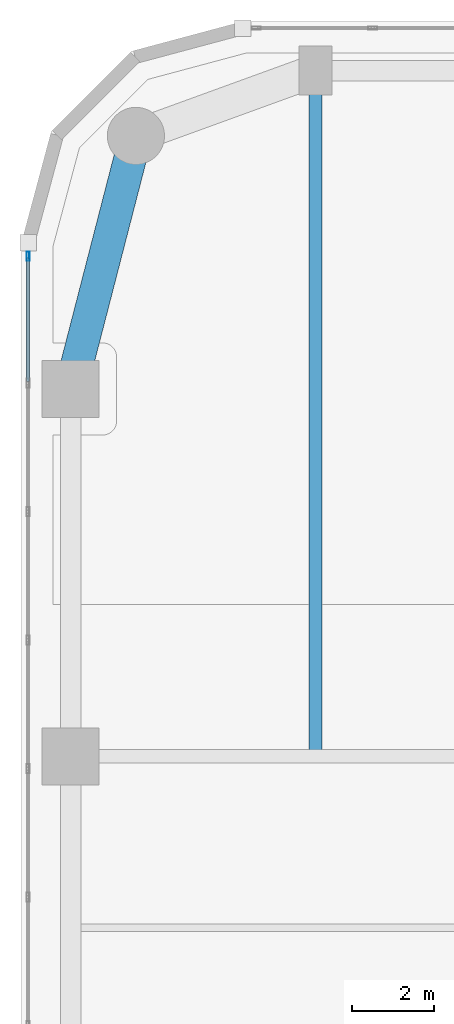
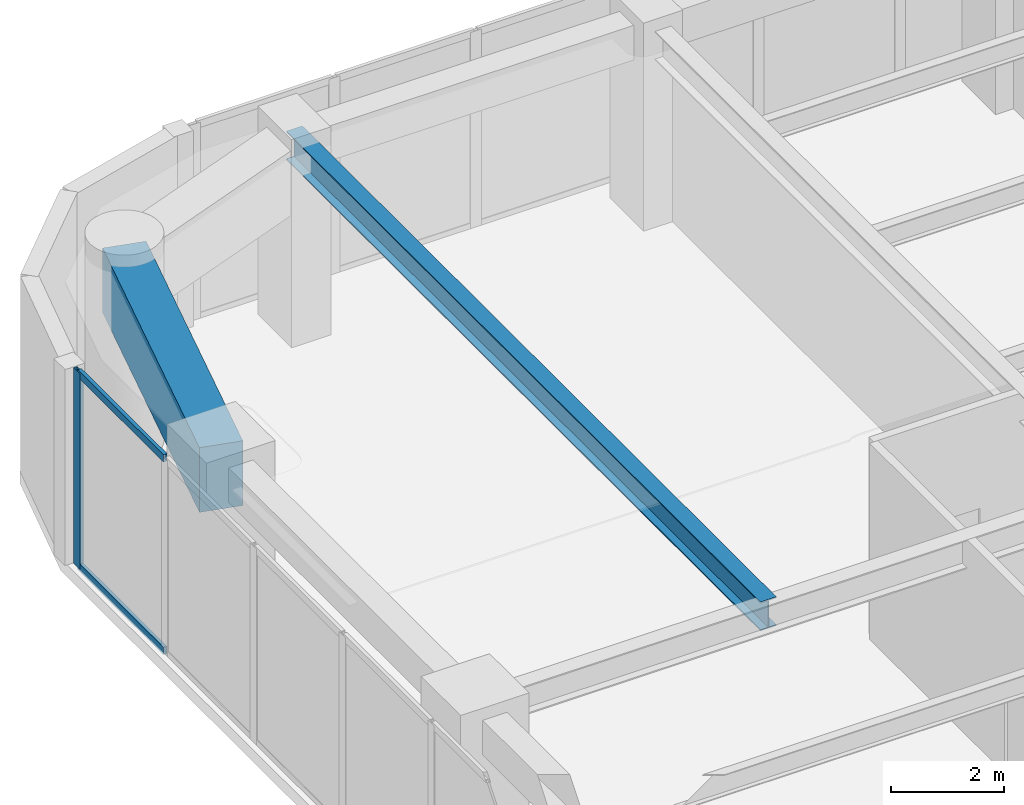
# One storey, part 8 of 23: 3 members, 2 beams, 1 element without a shape of its own.
"""IFC4 building model written with IfcOpenShell, lengths in metres."""

from ifc_helpers import new_model, si_unit, direction, frame, origin, origin_2d, place, context, subcontext, project, spatial, rectangle, hollow_rectangle, i_section, extrude, material, layer, layer_set, material_profile, profile_set, type_object, element, aggregate, save


model = new_model("IFC4")

# Units and contexts
model_context = context("Model", 3, precision=1e-05, world=origin(), true_north=direction((0.0, 1.0)))
body_context = subcontext(model_context, "Body", "Model", "MODEL_VIEW")
ifc_project = project(units=[si_unit("LENGTHUNIT", "METRE"), si_unit("AREAUNIT", "SQUARE_METRE"), si_unit("VOLUMEUNIT", "CUBIC_METRE"), si_unit("PLANEANGLEUNIT", "RADIAN"), si_unit("MASSUNIT", "GRAM", prefix="KILO")], contexts=[model_context])

# Site, building, storey
site_placement = place(None, origin())
site = spatial("IfcSite", under=ifc_project, at=site_placement, CompositionType="ELEMENT")
building_placement = place(site_placement, origin())
building = spatial("IfcBuilding", under=site, at=building_placement, Name="Kiyonajd Concourse Tower", CompositionType="ELEMENT")
storey_placement = place(building_placement, frame((0.0, 0.0, 120.89990234375)))
storey = spatial("IfcBuildingStorey", under=building, at=storey_placement, Name="L31", CompositionType="ELEMENT", Elevation=120.89990234375)

# Beams
ifc_material_1 = material(Name="Steel ASTM A992 Grade 50", Category="steel")
ifc_material_profile_1 = material_profile(ifc_material_1, i_section(OverallWidth=0.326904296875, OverallDepth=0.6220703125, WebThickness=0.015380859375, FlangeThickness=0.0244140625, at=origin_2d()), Name="W610X195")
ifc_profile_set_1 = profile_set([ifc_material_profile_1], Name="Steel ASTM A992 Grade 50")
beam_type_1 = type_object("IfcBeamType", Name="BM-TWR-610A", PredefinedType="BEAM", material=ifc_profile_set_1)
beam_1_placement = place(storey_placement, frame((25.199951171875, 44.39990234375, 3.92919921875), z_axis=(0.0, 1.0, 0.0), x_axis=(-1.0, 0.0, 0.0)))
element("IfcBeam", 1, at=beam_1_placement, inside=storey, type_object=beam_type_1, Name="L31 North Lease Girder", PredefinedType="BEAM", context=body_context, shape_type="SweptSolid", body=[
    extrude(i_section(OverallWidth=0.326904296875, OverallDepth=0.6220703125, WebThickness=0.015380859375, FlangeThickness=0.0244140625, at=origin_2d()), origin(), (0.0, 0.0, 1.0), 16.800048828125),
])
ifc_material_2 = material(Name="Concrete C60/75", Category="concrete")
ifc_material_profile_2 = material_profile(ifc_material_2, rectangle(XDim=0.800048828125, YDim=1.39990234375, at=origin_2d()), Name="RCBM-800x1400")
ifc_profile_set_2 = profile_set([ifc_material_profile_2], Name="Concrete C60/75")
beam_type_2 = type_object("IfcBeamType", Name="BM-XFER-RC", PredefinedType="BEAM", material=ifc_profile_set_2)
beam_2_placement = place(storey_placement, frame((20.800048828125, 59.60009765625, 3.5400390625), z_axis=(-0.249884937687, -0.968275538221, 0.0), x_axis=(0.968275538221, -0.249884937687, 0.0)))
element("IfcBeam", 2, at=beam_2_placement, inside=storey, type_object=beam_type_2, Name="L31 Perimeter Bundled Tube Spandrel", PredefinedType="BEAM", context=body_context, shape_type="SweptSolid", body=[
    extrude(rectangle(XDim=0.800048828125, YDim=1.39990234375, at=origin_2d()), origin(), (0.0, 0.0, 1.0), 6.4033203125),
])

# Curtain wall, members
ifc_material_3 = material(Name="Thermally Broken Anodised Aluminium", Category="aluminium")
ifc_layer = layer(ifc_material_3, 0.179931640625)
ifc_layer_set = layer_set([ifc_layer], Name="Thermally Broken Anodised Aluminium")
curtain_wall_type = type_object("IfcCurtainWallType", Name="CW-SYS-05", PredefinedType="NOTDEFINED", material=ifc_layer_set)
curtain_wall_placement = place(storey_placement, origin())
curtain_wall = element("IfcCurtainWall", 3, at=curtain_wall_placement, inside=storey, type_object=curtain_wall_type, Name="L31 Unitised Curtain Wall CW5", PredefinedType="NOTDEFINED")
ifc_material_profile_3 = material_profile(ifc_material_3, hollow_rectangle(XDim=0.074951171875, YDim=0.219970703125, WallThickness=0.0048828125, at=origin_2d()), Name="MULL-75x220")
ifc_profile_set_3 = profile_set([ifc_material_profile_3], Name="Thermally Broken Anodised Aluminium")
member_type_1 = type_object("IfcMemberType", Name="MB-CW-MULL2", PredefinedType="MULLION", material=ifc_profile_set_3)
member_1_placement = place(storey_placement, frame((18.159912109375, 56.6513671875, 0.0), z_axis=(0.0, 0.0, 1.0), x_axis=(-1.0, 0.0, 0.0)))
member_1 = element("IfcMember", 4, at=member_1_placement, type_object=member_type_1, Name="CW5 mullion 8", PredefinedType="MULLION", context=body_context, shape_type="SweptSolid", body=[
    extrude(hollow_rectangle(XDim=0.074951171875, YDim=0.219970703125, WallThickness=0.0048828125, at=origin_2d()), origin(), (0.0, 0.0, 1.0), 4.239990234375),
])
ifc_material_profile_4 = material_profile(ifc_material_3, hollow_rectangle(XDim=0.074951171875, YDim=0.159912109375, WallThickness=0.0048828125, at=origin_2d()), Name="TRAN-75x160")
ifc_profile_set_4 = profile_set([ifc_material_profile_4], Name="Thermally Broken Anodised Aluminium")
member_type_2 = type_object("IfcMemberType", Name="MB-CW-TRAN2", PredefinedType="USERDEFINED", material=ifc_profile_set_4)
member_2_placement = place(storey_placement, frame((18.159912109375, 53.577880859375, 0.03759765625), z_axis=(0.0, 1.0, 0.0), x_axis=(-1.0, 0.0, 0.0)))
member_2 = element("IfcMember", 5, at=member_2_placement, type_object=member_type_2, Name="CW5 transom 7.1", ObjectType="TRANSOM", PredefinedType="USERDEFINED", context=body_context, shape_type="SweptSolid", body=[
    extrude(hollow_rectangle(XDim=0.074951171875, YDim=0.159912109375, WallThickness=0.0048828125, at=origin_2d()), origin(), (0.0, 0.0, 1.0), 3.0361328125),
])
member_3_placement = place(storey_placement, frame((18.159912109375, 53.577880859375, 4.20263671875), z_axis=(0.0, 1.0, 0.0), x_axis=(-1.0, 0.0, 0.0)))
member_3 = element("IfcMember", 6, at=member_3_placement, type_object=member_type_2, Name="CW5 transom 7.2", ObjectType="TRANSOM", PredefinedType="USERDEFINED", context=body_context, shape_type="SweptSolid", body=[
    extrude(hollow_rectangle(XDim=0.074951171875, YDim=0.159912109375, WallThickness=0.0048828125, at=origin_2d()), origin(), (0.0, 0.0, 1.0), 3.0361328125),
])
aggregate(curtain_wall, [member_1, member_2, member_3])

save(model, "model.ifc")
